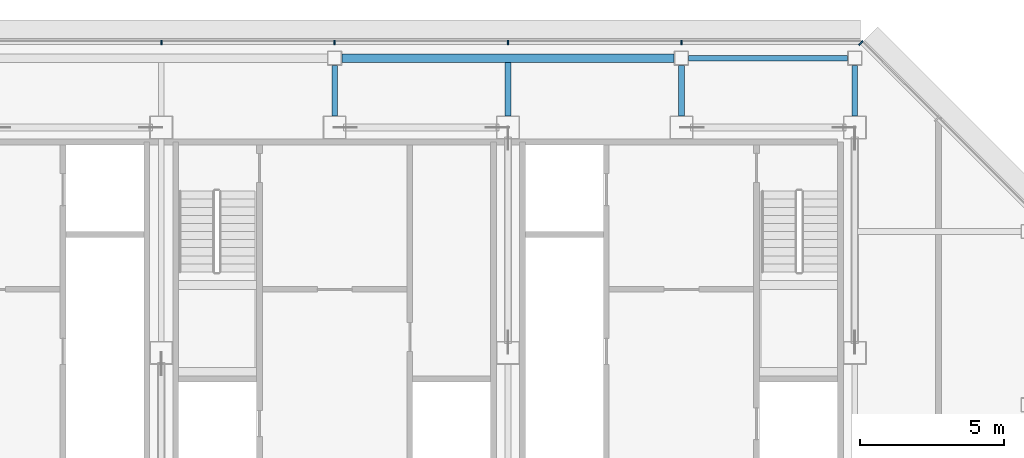
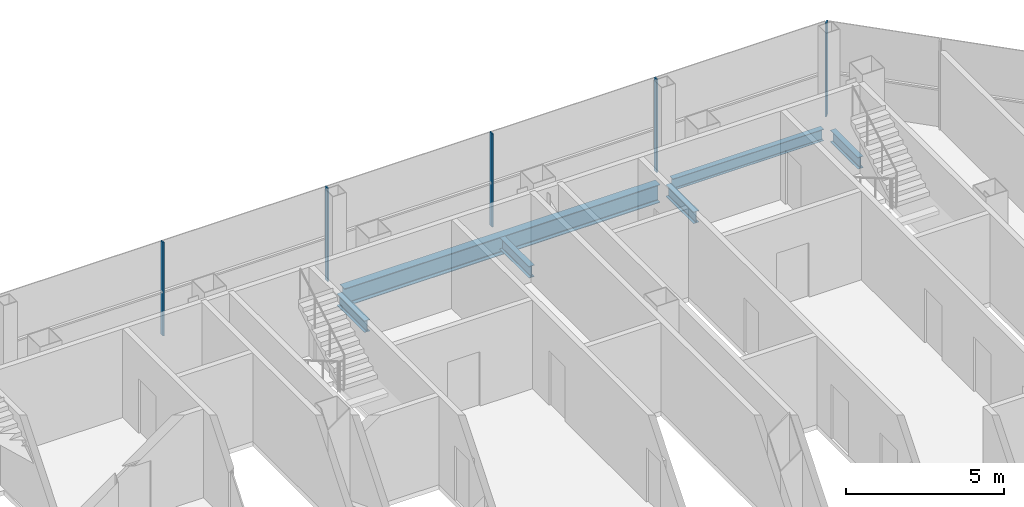
# One storey, part 18 of 31: 6 beams, 5 members, 2 elements without a shape of their own.
"""IFC4 building model written with IfcOpenShell, lengths in metres."""

from ifc_helpers import new_model, si_unit, direction, frame, origin, origin_2d, place, context, subcontext, project, spatial, rectangle, i_section, extrude, material, material_profile, profile_set, type_object, element, aggregate, save


model = new_model("IFC4")

# Units and contexts
model_context = context("Model", 3, precision=1e-05, world=origin(), true_north=direction((0.0, 1.0)))
body_context = subcontext(model_context, "Body", "Model", "MODEL_VIEW")
ifc_project = project(units=[si_unit("LENGTHUNIT", "METRE"), si_unit("AREAUNIT", "SQUARE_METRE"), si_unit("VOLUMEUNIT", "CUBIC_METRE"), si_unit("PLANEANGLEUNIT", "RADIAN"), si_unit("MASSUNIT", "GRAM", prefix="KILO")], contexts=[model_context])

# Site, building, storey
site_placement = place(None, origin())
site = spatial("IfcSite", under=ifc_project, at=site_placement, CompositionType="ELEMENT")
building_placement = place(site_placement, origin())
building = spatial("IfcBuilding", under=site, at=building_placement, Name="Sorahane Residences", CompositionType="ELEMENT")
storey_placement = place(building_placement, frame((0.0, 0.0, 319.60009765625)))
storey = spatial("IfcBuildingStorey", under=building, at=storey_placement, Name="L76", CompositionType="ELEMENT", Elevation=319.60009765625)

# Curtain wall, members
ifc_material_1 = material(Name="Dark low-e glass and black anodised aluminium", Category="aluminium")
curtain_wall_type_1 = type_object("IfcCurtainWallType", Name="Curtain wall CW-1 Typical unitised wall", PredefinedType="NOTDEFINED", material=ifc_material_1)
curtain_wall_1_placement = place(storey_placement, origin())
curtain_wall_1 = element("IfcCurtainWall", 1, at=curtain_wall_1_placement, inside=storey, type_object=curtain_wall_type_1, Name="CW-1 curtain wall L76 N1", PredefinedType="NOTDEFINED")
ifc_material_2 = material(Name="Black anodised aluminium", Category="aluminium")
ifc_material_profile_1 = material_profile(ifc_material_2, rectangle(XDim=0.159912109375, YDim=0.050048828125, at=origin_2d()), Name="Curtain wall mullion CW-1 black anodised aluminium 50x160")
ifc_profile_set_1 = profile_set([ifc_material_profile_1], Name="Black anodised aluminium")
member_type_1 = type_object("IfcMemberType", Name="Curtain wall mullion CW-1 black anodised aluminium 50x160", PredefinedType="MULLION", material=ifc_profile_set_1)
member_1_placement = place(storey_placement, frame((36.0, 48.5400390625, -0.18017578125), z_axis=(0.0, 0.0, 1.0), x_axis=(0.0, 1.0, 0.0)))
member_1 = element("IfcMember", 2, at=member_1_placement, type_object=member_type_1, Name="CW-1 mullion L76 N1.2", PredefinedType="MULLION", context=body_context, shape_type="SweptSolid", body=[
    extrude(rectangle(XDim=0.159912109375, YDim=0.050048828125, at=origin_2d()), origin(), (0.0, 0.0, 1.0), 3.60009765625),
])
member_2_placement = place(storey_placement, frame((30.0, 48.5400390625, -0.18017578125), z_axis=(0.0, 0.0, 1.0), x_axis=(0.0, 1.0, 0.0)))
member_2 = element("IfcMember", 3, at=member_2_placement, type_object=member_type_1, Name="CW-1 mullion L76 N1.3", PredefinedType="MULLION", context=body_context, shape_type="SweptSolid", body=[
    extrude(rectangle(XDim=0.159912109375, YDim=0.050048828125, at=origin_2d()), origin(), (0.0, 0.0, 1.0), 3.60009765625),
])
member_3_placement = place(storey_placement, frame((24.0, 48.5400390625, -0.18017578125), z_axis=(0.0, 0.0, 1.0), x_axis=(0.0, 1.0, 0.0)))
member_3 = element("IfcMember", 4, at=member_3_placement, type_object=member_type_1, Name="CW-1 mullion L76 N1.4", PredefinedType="MULLION", context=body_context, shape_type="SweptSolid", body=[
    extrude(rectangle(XDim=0.159912109375, YDim=0.050048828125, at=origin_2d()), origin(), (0.0, 0.0, 1.0), 3.60009765625),
])
member_4_placement = place(storey_placement, frame((18.0, 48.5400390625, -0.18017578125), z_axis=(0.0, 0.0, 1.0), x_axis=(0.0, 1.0, 0.0)))
member_4 = element("IfcMember", 5, at=member_4_placement, type_object=member_type_1, Name="CW-1 mullion L76 N1.5", PredefinedType="MULLION", context=body_context, shape_type="SweptSolid", body=[
    extrude(rectangle(XDim=0.159912109375, YDim=0.050048828125, at=origin_2d()), origin(), (0.0, 0.0, 1.0), 3.60009765625),
])
aggregate(curtain_wall_1, [member_1, member_2, member_3, member_4])

# Curtain wall, member
ifc_material_3 = material(Name="Dark low-e glass and black anodised aluminium", Category="aluminium")
curtain_wall_type_2 = type_object("IfcCurtainWallType", Name="Curtain wall CW-2 Chamfer unitised wall", PredefinedType="NOTDEFINED", material=ifc_material_3)
curtain_wall_2_placement = place(storey_placement, origin())
curtain_wall_2 = element("IfcCurtainWall", 6, at=curtain_wall_2_placement, inside=storey, type_object=curtain_wall_type_2, Name="CW-2 curtain wall L76 NE1", PredefinedType="NOTDEFINED")
ifc_material_4 = material(Name="Black anodised aluminium", Category="aluminium")
ifc_material_profile_2 = material_profile(ifc_material_4, rectangle(XDim=0.199951171875, YDim=0.050048828125, at=origin_2d()), Name="Curtain wall mullion CW-2 black anodised aluminium 50x200")
ifc_profile_set_2 = profile_set([ifc_material_profile_2], Name="Black anodised aluminium")
member_type_2 = type_object("IfcMemberType", Name="Curtain wall mullion CW-2 black anodised aluminium 50x200", PredefinedType="MULLION", material=ifc_profile_set_2)
member_5_placement = place(storey_placement, frame((42.209716796875, 48.525634765625, -0.18017578125), z_axis=(0.0, 0.0, 1.0), x_axis=(0.707106781187, 0.707106781187, 0.0)))
member_5 = element("IfcMember", 7, at=member_5_placement, type_object=member_type_2, Name="CW-2 mullion L76 NE1.3", PredefinedType="MULLION", context=body_context, shape_type="SweptSolid", body=[
    extrude(rectangle(XDim=0.199951171875, YDim=0.050048828125, at=origin_2d()), origin(), (0.0, 0.0, 1.0), 3.60009765625),
])
aggregate(curtain_wall_2, [member_5])

# Beams
ifc_material_5 = material(Name="Steel Q355B", Category="steel")
ifc_material_profile_3 = material_profile(ifc_material_5, i_section(OverallWidth=0.199951171875, OverallDepth=0.449951171875, WebThickness=0.009033203125, FlangeThickness=0.013916015625, FilletRadius=0.02001953125, at=origin_2d()), Name="HN 450x200x9x14")
ifc_profile_set_3 = profile_set([ifc_material_profile_3], Name="Steel Q355B")
beam_type_1 = type_object("IfcBeamType", Name="Steel floor beam HN 450x200x9x14 Q355B", PredefinedType="BEAM", material=ifc_profile_set_3)
beam_1_placement = place(storey_placement, frame((36.25, 48.0, -0.405029296875), z_axis=(1.0, 0.0, 0.0), x_axis=(0.0, 1.0, 0.0)))
element("IfcBeam", 8, at=beam_1_placement, inside=storey, type_object=beam_type_1, Name="Beam L76 019", PredefinedType="BEAM", context=body_context, shape_type="SweptSolid", body=[
    extrude(i_section(OverallWidth=0.199951171875, OverallDepth=0.449951171875, WebThickness=0.009033203125, FlangeThickness=0.013916015625, FilletRadius=0.02001953125, at=origin_2d()), origin(), (0.0, 0.0, 1.0), 5.5),
])
beam_2_placement = place(storey_placement, frame((24.0, 46.0, -0.405029296875), z_axis=(0.0, 1.0, 0.0), x_axis=(-1.0, 0.0, 0.0)))
element("IfcBeam", 9, at=beam_2_placement, inside=storey, type_object=beam_type_1, Name="Beam L76 046", PredefinedType="BEAM", context=body_context, shape_type="SweptSolid", body=[
    extrude(i_section(OverallWidth=0.199951171875, OverallDepth=0.449951171875, WebThickness=0.009033203125, FlangeThickness=0.013916015625, FilletRadius=0.02001953125, at=origin_2d()), origin(), (0.0, 0.0, 1.0), 1.75),
])
beam_3_placement = place(storey_placement, frame((30.0, 46.0, -0.405029296875), z_axis=(0.0, 1.0, 0.0), x_axis=(-1.0, 0.0, 0.0)))
element("IfcBeam", 10, at=beam_3_placement, inside=storey, type_object=beam_type_1, Name="Beam L76 052", PredefinedType="BEAM", context=body_context, shape_type="SweptSolid", body=[
    extrude(i_section(OverallWidth=0.199951171875, OverallDepth=0.449951171875, WebThickness=0.009033203125, FlangeThickness=0.013916015625, FilletRadius=0.02001953125, at=origin_2d()), origin(), (0.0, 0.0, 1.0), 1.85009765625),
])
for number, where, z_axis, x_axis, name in (
    (11, (36.0, 46.0, -0.405029296875), (0.0, 1.0, 0.0), (-1.0, 0.0, 0.0), "Beam L76 054"),
    (12, (42.0, 46.0, -0.405029296875), (0.0, 1.0, 0.0), (-1.0, 0.0, 0.0), "Beam L76 060"),
):
    element("IfcBeam", number, at=place(storey_placement, frame(where, z_axis=z_axis, x_axis=x_axis)), inside=storey, type_object=beam_type_1, Name=name, PredefinedType="BEAM", context=body_context, shape_type="SweptSolid", body=[
        extrude(i_section(OverallWidth=0.199951171875, OverallDepth=0.449951171875, WebThickness=0.009033203125, FlangeThickness=0.013916015625, FilletRadius=0.02001953125, at=origin_2d()), origin(), (0.0, 0.0, 1.0), 1.75),
    ])
ifc_material_6 = material(Name="Steel Q355B", Category="steel")
ifc_material_profile_4 = material_profile(ifc_material_6, i_section(OverallWidth=0.300048828125, OverallDepth=0.699951171875, WebThickness=0.012939453125, FlangeThickness=0.02392578125, FilletRadius=0.028076171875, at=origin_2d()), Name="HN 700x300x13x24")
ifc_profile_set_4 = profile_set([ifc_material_profile_4], Name="Steel Q355B")
beam_type_2 = type_object("IfcBeamType", Name="Steel floor beam HN 700x300x13x24 Q355B", PredefinedType="BEAM", material=ifc_profile_set_4)
beam_4_placement = place(storey_placement, frame((24.25, 48.0, -0.530029296875), z_axis=(1.0, 0.0, 0.0), x_axis=(0.0, 1.0, 0.0)))
element("IfcBeam", 13, at=beam_4_placement, inside=storey, type_object=beam_type_2, Name="Beam L76 018", PredefinedType="BEAM", context=body_context, shape_type="SweptSolid", body=[
    extrude(i_section(OverallWidth=0.300048828125, OverallDepth=0.699951171875, WebThickness=0.012939453125, FlangeThickness=0.02392578125, FilletRadius=0.028076171875, at=origin_2d()), origin(), (0.0, 0.0, 1.0), 11.5),
])

save(model, "model.ifc")
